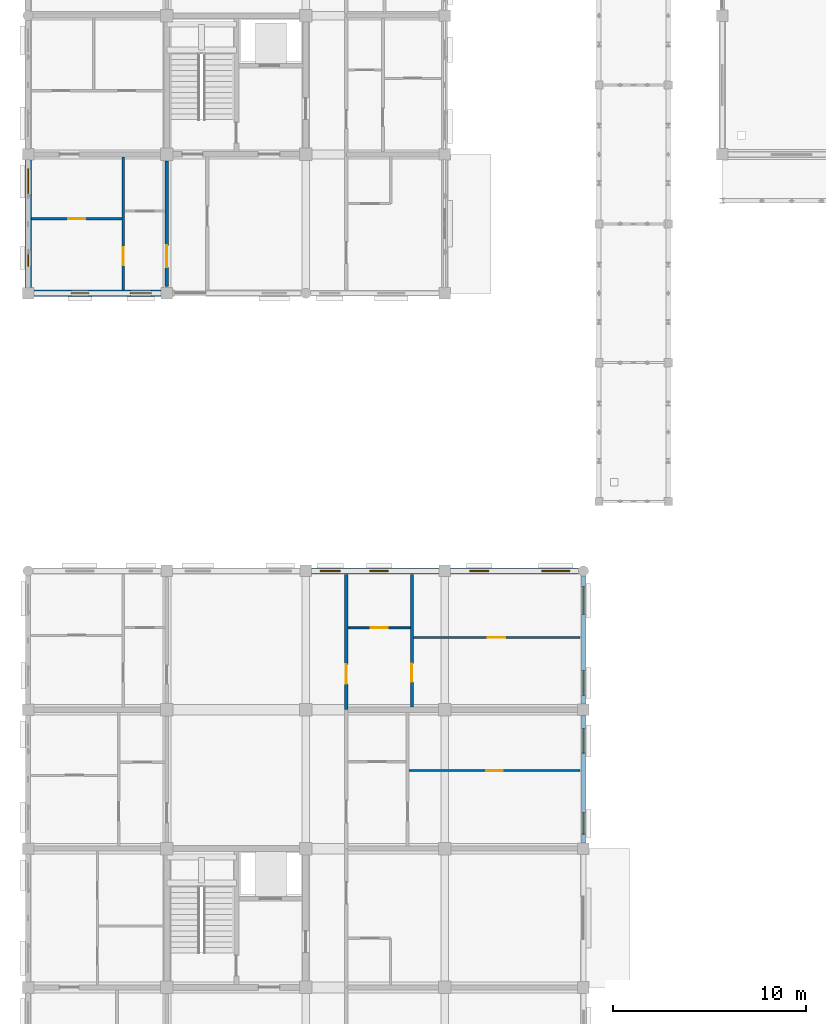
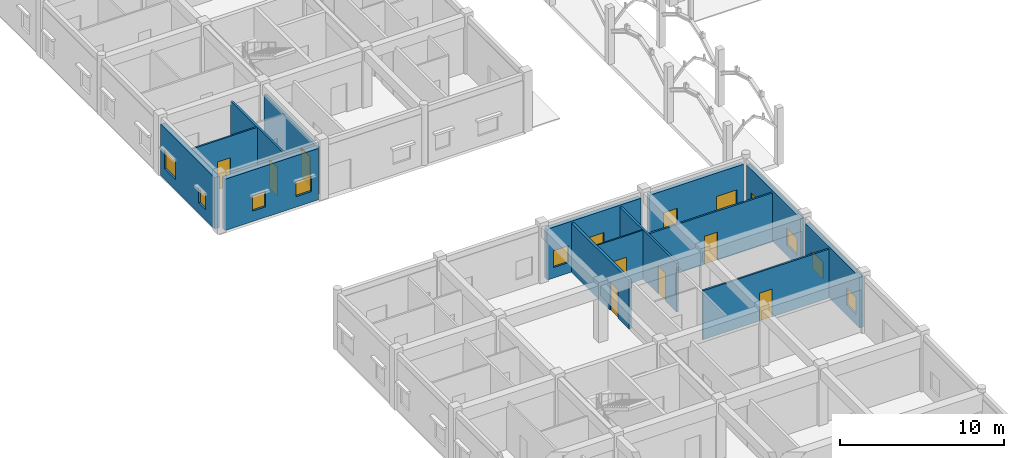
# One storey, part 99 of 138: 14 walls, 12 windows, 8 doors, 20 openings.
"""IFC4 building model written with IfcOpenShell, lengths in metres."""

from ifc_helpers import new_model, si_unit, direction, frame, frame_2d, origin, place, context, subcontext, project, spatial, rectangle, extrude, material, layer, layer_set, type_object, element, fill, save


model = new_model("IFC4")

# Units and contexts
model_context = context("Model", 3, precision=1e-05, world=origin(), true_north=direction((0.0, 1.0)))
body_context = subcontext(model_context, "Body", "Model", "MODEL_VIEW")
ifc_project = project(units=[si_unit("LENGTHUNIT", "METRE"), si_unit("AREAUNIT", "SQUARE_METRE"), si_unit("VOLUMEUNIT", "CUBIC_METRE"), si_unit("PLANEANGLEUNIT", "RADIAN"), si_unit("MASSUNIT", "GRAM", prefix="KILO"), si_unit("THERMODYNAMICTEMPERATUREUNIT", "KELVIN"), si_unit("POWERUNIT", "WATT")], contexts=[model_context])

# Site, building, storey
site_placement = place(None, origin())
site = spatial("IfcSite", under=ifc_project, at=site_placement, CompositionType="ELEMENT")
building_placement = place(site_placement, origin())
building = spatial("IfcBuilding", under=site, at=building_placement, Name="Tavuni Mirador Residences", CompositionType="ELEMENT")
storey_placement = place(building_placement, origin())
storey = spatial("IfcBuildingStorey", under=building, at=storey_placement, Name="L00", CompositionType="ELEMENT", Elevation=0.0)

# Wall, opening, door
ifc_material_1 = material(Name="Precast concrete C40/50", Category="concrete")
ifc_layer_1 = layer(ifc_material_1, 0.18505859375, Name="Precast concrete C40/50", Category="concrete")
ifc_layer_set_1 = layer_set([ifc_layer_1], Name="Precast concrete C40/50")
wall_type_1 = type_object("IfcWallType", Name="WT-CORR185", PredefinedType="PARTITIONING", material=ifc_layer_set_1)
wall_1_placement = place(storey_placement, frame((20.10009765625, 43.219970703125, 0.0), z_axis=(0.0, 0.0, 1.0), x_axis=(0.0, 1.0, 0.0)))
wall_1 = element("IfcWall", 1, at=wall_1_placement, inside=storey, type_object=wall_type_1, Name="CORW-BLK-A-L00-0-05", PredefinedType="PARTITIONING", context=body_context, shape_type="SweptSolid", body=[
    extrude(rectangle(XDim=7.005126953125, YDim=0.18505859375, at=frame_2d((3.50244140625, 0.0))), origin(), (0.0, 0.0, 1.0), 3.655029296875),
])
opening_1_placement = place(wall_1_placement, frame((1.330078125, 0.0, 0.0)))
opening_1 = element("IfcOpeningElement", 2, at=opening_1_placement, cuts=wall_1, Name="Opening D-03", PredefinedType="OPENING", context=body_context, shape_type="SweptSolid", body=[
    extrude(rectangle(XDim=1.0, YDim=2.14990234375, at=frame_2d((0.5, 1.074951171875))), frame((0.0, 0.1025390625, 0.0), z_axis=(0.0, -1.0, 0.0), x_axis=(1.0, 0.0, 0.0)), (0.0, 0.0, 1.0), 0.205078125),
])
ifc_material_2 = material(Name="Solid core iroko timber", Category="wood")
door_type_1 = type_object("IfcDoorType", Name="DT-FD60-1000", OperationType="NOTDEFINED", PredefinedType="DOOR", material=ifc_material_2)
door_1_placement = place(opening_1_placement, origin())
door_1 = element("IfcDoor", 3, at=door_1_placement, inside=storey, type_object=door_type_1, Name="DR-2388", OperationType="SINGLE_SWING_LEFT", OverallHeight=2.14990234375, OverallWidth=1.0, PredefinedType="DOOR", context=body_context, shape_type="SweptSolid", body=[
    extrude(rectangle(XDim=1.0, YDim=2.14990234375, at=frame_2d((0.5, 1.074951171875))), frame((0.0, 0.02490234375, 0.0), z_axis=(0.0, -1.0, 0.0), x_axis=(1.0, 0.0, 0.0)), (0.0, 0.0, 1.0), 0.050048828125),
])
fill(opening_1, door_1)

wall_2_placement = place(storey_placement, frame((10.800048828125, 65.14990234375, 0.0), z_axis=(0.0, 0.0, 1.0), x_axis=(0.0, 1.0, 0.0)))
wall_2 = element("IfcWall", 4, at=wall_2_placement, inside=storey, type_object=wall_type_1, Name="CORW-BLK-B-L00-1-00", PredefinedType="PARTITIONING", context=body_context, shape_type="SweptSolid", body=[
    extrude(rectangle(XDim=6.5, YDim=0.18505859375, at=frame_2d((3.25, 0.0))), origin(), (0.0, 0.0, 1.0), 3.510009765625),
])
opening_2_placement = place(wall_2_placement, frame((1.0, 0.0, 0.0)))
opening_2 = element("IfcOpeningElement", 5, at=opening_2_placement, cuts=wall_2, Name="Opening D-20", PredefinedType="OPENING", context=body_context, shape_type="SweptSolid", body=[
    extrude(rectangle(XDim=1.139892578125, YDim=2.179931640625, at=frame_2d((0.56982421875, 1.08984375))), frame((0.0, 0.1025390625, 0.0), z_axis=(0.0, -1.0, 0.0), x_axis=(1.0, 0.0, 0.0)), (0.0, 0.0, 1.0), 0.205078125),
])
door_type_2 = type_object("IfcDoorType", Name="DT-FD60-1140", OperationType="NOTDEFINED", PredefinedType="DOOR", material=ifc_material_2)
door_2_placement = place(opening_2_placement, origin())
door_2 = element("IfcDoor", 6, at=door_2_placement, inside=storey, type_object=door_type_2, Name="DR-2534", OperationType="SINGLE_SWING_LEFT", OverallHeight=2.179931640625, OverallWidth=1.139892578125, PredefinedType="DOOR", context=body_context, shape_type="SweptSolid", body=[
    extrude(rectangle(XDim=1.139892578125, YDim=2.179931640625, at=frame_2d((0.56982421875, 1.08984375))), frame((0.0, 0.02490234375, 0.0), z_axis=(0.0, -1.0, 0.0), x_axis=(1.0, 0.0, 0.0)), (0.0, 0.0, 1.0), 0.050048828125),
])
fill(opening_2, door_2)

# Wall, openings, windows
ifc_layer_2 = layer(ifc_material_1, 0.330078125, Name="Precast concrete C40/50", Category="concrete")
ifc_layer_set_2 = layer_set([ifc_layer_2], Name="Precast concrete C40/50")
wall_type_2 = type_object("IfcWallType", Name="WT-EXT-COR330", PredefinedType="SOLIDWALL", material=ifc_layer_set_2)
wall_3_placement = place(storey_placement, frame((3.89990234375, 64.800048828125, 0.0), z_axis=(0.0, 0.0, 1.0), x_axis=(1.0, 0.0, 0.0)))
wall_3 = element("IfcWall", 7, at=wall_3_placement, inside=storey, type_object=wall_type_2, Name="EW-BLK-B-L00-S00", PredefinedType="SOLIDWALL", context=body_context, shape_type="SweptSolid", body=[
    extrude(rectangle(XDim=6.60009765625, YDim=0.330078125, at=frame_2d((3.300048828125, 0.0))), origin(), (0.0, 0.0, 1.0), 3.830078125),
])
opening_3_placement = place(wall_3_placement, frame((1.929931640625, 0.0, 0.780029296875)))
opening_3 = element("IfcOpeningElement", 8, at=opening_3_placement, cuts=wall_3, Name="Opening WN-02", PredefinedType="OPENING", context=body_context, shape_type="SweptSolid", body=[
    extrude(rectangle(XDim=0.919921875, YDim=1.14990234375, at=frame_2d((0.4599609375, 0.574951171875))), frame((0.0, 0.175048828125, 0.0), z_axis=(0.0, -1.0, 0.0), x_axis=(1.0, 0.0, 0.0)), (0.0, 0.0, 1.0), 0.35009765625),
])
opening_4_placement = place(wall_3_placement, frame((5.010009765625, 0.0, 0.780029296875)))
opening_4 = element("IfcOpeningElement", 9, at=opening_4_placement, cuts=wall_3, Name="Opening WN-04", PredefinedType="OPENING", context=body_context, shape_type="SweptSolid", body=[
    extrude(rectangle(XDim=1.080078125, YDim=1.14990234375, at=frame_2d((0.5400390625, 0.574951171875))), frame((0.0, 0.175048828125, 0.0), z_axis=(0.0, -1.0, 0.0), x_axis=(1.0, 0.0, 0.0)), (0.0, 0.0, 1.0), 0.35009765625),
])
ifc_material_3 = material(Name="Laminated solar-control glass", Category="glass")
window_type_1 = type_object("IfcWindowType", Name="WNT-02", PartitioningType="SINGLE_PANEL", PredefinedType="WINDOW", material=ifc_material_3)
window_1_placement = place(opening_3_placement, origin())
window_1 = element("IfcWindow", 10, at=window_1_placement, inside=storey, type_object=window_type_1, Name="WIN-0541", OverallHeight=1.14990234375, OverallWidth=0.919921875, PartitioningType="SINGLE_PANEL", PredefinedType="WINDOW", context=body_context, shape_type="SweptSolid", body=[
    extrude(rectangle(XDim=0.919921875, YDim=1.14990234375, at=frame_2d((0.4599609375, 0.574951171875))), frame((0.0, 0.030029296875, 0.0), z_axis=(0.0, -1.0, 0.0), x_axis=(1.0, 0.0, 0.0)), (0.0, 0.0, 1.0), 0.06005859375),
])
fill(opening_3, window_1)
window_type_2 = type_object("IfcWindowType", Name="WNT-04", PartitioningType="SINGLE_PANEL", PredefinedType="WINDOW", material=ifc_material_3)
window_2_placement = place(opening_4_placement, origin())
window_2 = element("IfcWindow", 11, at=window_2_placement, inside=storey, type_object=window_type_2, Name="WIN-0542", OverallHeight=1.14990234375, OverallWidth=1.080078125, PartitioningType="SINGLE_PANEL", PredefinedType="WINDOW", context=body_context, shape_type="SweptSolid", body=[
    extrude(rectangle(XDim=1.080078125, YDim=1.14990234375, at=frame_2d((0.5400390625, 0.574951171875))), frame((0.0, 0.030029296875, 0.0), z_axis=(0.0, -1.0, 0.0), x_axis=(1.0, 0.0, 0.0)), (0.0, 0.0, 1.0), 0.06005859375),
])
fill(opening_4, window_2)

wall_4_placement = place(storey_placement, frame((3.60009765625, 71.699951171875, 0.0), z_axis=(0.0, 0.0, 1.0), x_axis=(0.0, -1.0, 0.0)))
wall_4 = element("IfcWall", 12, at=wall_4_placement, inside=storey, type_object=wall_type_2, Name="EW-BLK-B-L00-W00", PredefinedType="SOLIDWALL", context=body_context, shape_type="SweptSolid", body=[
    extrude(rectangle(XDim=6.599853515625, YDim=0.330078125, at=frame_2d((3.2998046875, 0.0))), origin(), (0.0, 0.0, 1.0), 3.830078125),
])
opening_5_placement = place(wall_4_placement, frame((0.449951171875, 0.0, 0.780029296875)))
opening_5 = element("IfcOpeningElement", 13, at=opening_5_placement, cuts=wall_4, Name="Opening WN-29", PredefinedType="OPENING", context=body_context, shape_type="SweptSolid", body=[
    extrude(rectangle(XDim=1.35009765625, YDim=1.43994140625, at=frame_2d((0.675048828125, 0.719970703125))), frame((0.0, 0.175048828125, 0.0), z_axis=(0.0, -1.0, 0.0), x_axis=(1.0, 0.0, 0.0)), (0.0, 0.0, 1.0), 0.35009765625),
])
opening_6_placement = place(wall_4_placement, frame((4.64990234375, 0.0, 0.780029296875)))
opening_6 = element("IfcOpeningElement", 14, at=opening_6_placement, cuts=wall_4, Name="Opening WN-01", PredefinedType="OPENING", context=body_context, shape_type="SweptSolid", body=[
    extrude(rectangle(XDim=0.85009765625, YDim=1.14990234375, at=frame_2d((0.425048828125, 0.574951171875))), frame((0.0, 0.175048828125, 0.0), z_axis=(0.0, -1.0, 0.0), x_axis=(1.0, 0.0, 0.0)), (0.0, 0.0, 1.0), 0.35009765625),
])
window_type_3 = type_object("IfcWindowType", Name="WNT-01", PartitioningType="SINGLE_PANEL", PredefinedType="WINDOW", material=ifc_material_3)
window_3_placement = place(opening_6_placement, origin())
window_3 = element("IfcWindow", 15, at=window_3_placement, inside=storey, type_object=window_type_3, Name="WIN-0569", OverallHeight=1.14990234375, OverallWidth=0.85009765625, PartitioningType="SINGLE_PANEL", PredefinedType="WINDOW", context=body_context, shape_type="SweptSolid", body=[
    extrude(rectangle(XDim=0.85009765625, YDim=1.14990234375, at=frame_2d((0.425048828125, 0.574951171875))), frame((0.0, 0.030029296875, 0.0), z_axis=(0.0, -1.0, 0.0), x_axis=(1.0, 0.0, 0.0)), (0.0, 0.0, 1.0), 0.06005859375),
])
fill(opening_6, window_3)
window_type_4 = type_object("IfcWindowType", Name="WNT-29", PartitioningType="SINGLE_PANEL", PredefinedType="WINDOW", material=ifc_material_3)
window_4_placement = place(opening_5_placement, origin())
window_4 = element("IfcWindow", 16, at=window_4_placement, inside=storey, type_object=window_type_4, Name="WIN-0568", OverallHeight=1.43994140625, OverallWidth=1.35009765625, PartitioningType="SINGLE_PANEL", PredefinedType="WINDOW", context=body_context, shape_type="SweptSolid", body=[
    extrude(rectangle(XDim=1.35009765625, YDim=1.43994140625, at=frame_2d((0.675048828125, 0.719970703125))), frame((0.0, 0.030029296875, 0.0), z_axis=(0.0, -1.0, 0.0), x_axis=(1.0, 0.0, 0.0)), (0.0, 0.0, 1.0), 0.06005859375),
])
fill(opening_5, window_4)

ifc_material_4 = material(Name="Sgraffito lime-rendered precast concrete C40/50", Category="concrete")
ifc_layer_3 = layer(ifc_material_4, 0.2548828125, Name="Sgraffito lime-rendered precast concrete C40/50", Category="concrete")
ifc_layer_set_3 = layer_set([ifc_layer_3], Name="Sgraffito lime-rendered precast concrete C40/50")
wall_type_3 = type_object("IfcWallType", Name="WT-EXT-PC255", PredefinedType="SOLIDWALL", material=ifc_layer_set_3)
wall_5_placement = place(storey_placement, frame((32.39990234375, 43.5, 0.0), z_axis=(0.0, 0.0, 1.0), x_axis=(0.0, 1.0, 0.0)))
wall_5 = element("IfcWall", 17, at=wall_5_placement, inside=storey, type_object=wall_type_3, Name="EW-BLK-A-L00-E05", PredefinedType="SOLIDWALL", context=body_context, shape_type="SweptSolid", body=[
    extrude(rectangle(XDim=6.639892578125, YDim=0.2548828125, at=frame_2d((3.31982421875, 0.0))), origin(), (0.0, 0.0, 1.0), 3.7900390625),
])
opening_7_placement = place(wall_5_placement, frame((0.449951171875, 0.0, 0.780029296875)))
opening_7 = element("IfcOpeningElement", 18, at=opening_7_placement, cuts=wall_5, Name="Opening WN-14", PredefinedType="OPENING", context=body_context, shape_type="SweptSolid", body=[
    extrude(rectangle(XDim=1.280029296875, YDim=1.260009765625, at=frame_2d((0.64013671875, 0.6298828125))), frame((0.0, 0.137451171875, 0.0), z_axis=(0.0, -1.0, 0.0), x_axis=(1.0, 0.0, 0.0)), (0.0, 0.0, 1.0), 0.27490234375),
])
opening_8_placement = place(wall_5_placement, frame((4.64990234375, 0.0, 0.780029296875)))
opening_8 = element("IfcOpeningElement", 19, at=opening_8_placement, cuts=wall_5, Name="Opening WN-16", PredefinedType="OPENING", context=body_context, shape_type="SweptSolid", body=[
    extrude(rectangle(XDim=1.43994140625, YDim=1.260009765625, at=frame_2d((0.719970703125, 0.6298828125))), frame((0.0, 0.137451171875, 0.0), z_axis=(0.0, -1.0, 0.0), x_axis=(1.0, 0.0, 0.0)), (0.0, 0.0, 1.0), 0.27490234375),
])
window_type_5 = type_object("IfcWindowType", Name="WNT-14", PartitioningType="SINGLE_PANEL", PredefinedType="WINDOW", material=ifc_material_3)
window_5_placement = place(opening_7_placement, origin())
window_5 = element("IfcWindow", 20, at=window_5_placement, inside=storey, type_object=window_type_5, Name="WIN-0013", OverallHeight=1.260009765625, OverallWidth=1.280029296875, PartitioningType="SINGLE_PANEL", PredefinedType="WINDOW", context=body_context, shape_type="SweptSolid", body=[
    extrude(rectangle(XDim=1.280029296875, YDim=1.260009765625, at=frame_2d((0.64013671875, 0.6298828125))), frame((0.0, 0.030029296875, 0.0), z_axis=(0.0, -1.0, 0.0), x_axis=(1.0, 0.0, 0.0)), (0.0, 0.0, 1.0), 0.06005859375),
])
fill(opening_7, window_5)
window_type_6 = type_object("IfcWindowType", Name="WNT-16", PartitioningType="SINGLE_PANEL", PredefinedType="WINDOW", material=ifc_material_3)
window_6_placement = place(opening_8_placement, origin())
window_6 = element("IfcWindow", 21, at=window_6_placement, inside=storey, type_object=window_type_6, Name="WIN-0014", OverallHeight=1.260009765625, OverallWidth=1.43994140625, PartitioningType="SINGLE_PANEL", PredefinedType="WINDOW", context=body_context, shape_type="SweptSolid", body=[
    extrude(rectangle(XDim=1.43994140625, YDim=1.260009765625, at=frame_2d((0.719970703125, 0.6298828125))), frame((0.0, 0.030029296875, 0.0), z_axis=(0.0, -1.0, 0.0), x_axis=(1.0, 0.0, 0.0)), (0.0, 0.0, 1.0), 0.06005859375),
])
fill(opening_8, window_6)

ifc_layer_4 = layer(ifc_material_4, 0.27490234375, Name="Sgraffito lime-rendered precast concrete C40/50", Category="concrete")
ifc_layer_set_4 = layer_set([ifc_layer_4], Name="Sgraffito lime-rendered precast concrete C40/50")
wall_type_4 = type_object("IfcWallType", Name="WT-EXT-PC275", PredefinedType="SOLIDWALL", material=ifc_layer_set_4)
wall_6_placement = place(storey_placement, frame((32.39990234375, 36.300048828125, 0.0), z_axis=(0.0, 0.0, 1.0), x_axis=(0.0, 1.0, 0.0)))
wall_6 = element("IfcWall", 22, at=wall_6_placement, inside=storey, type_object=wall_type_4, Name="EW-BLK-A-L00-E04", PredefinedType="SOLIDWALL", context=body_context, shape_type="SweptSolid", body=[
    extrude(rectangle(XDim=6.599853515625, YDim=0.27490234375, at=frame_2d((3.2998046875, 0.0))), origin(), (0.0, 0.0, 1.0), 3.7900390625),
])
opening_9_placement = place(wall_6_placement, frame((0.449951171875, 0.0, 0.780029296875)))
opening_9 = element("IfcOpeningElement", 23, at=opening_9_placement, cuts=wall_6, Name="Opening WN-12", PredefinedType="OPENING", context=body_context, shape_type="SweptSolid", body=[
    extrude(rectangle(XDim=1.1201171875, YDim=1.260009765625, at=frame_2d((0.56005859375, 0.6298828125))), frame((0.0, 0.1474609375, 0.0), z_axis=(0.0, -1.0, 0.0), x_axis=(1.0, 0.0, 0.0)), (0.0, 0.0, 1.0), 0.294921875),
])
opening_10_placement = place(wall_6_placement, frame((4.64990234375, 0.0, 0.780029296875)))
opening_10 = element("IfcOpeningElement", 24, at=opening_10_placement, cuts=wall_6, Name="Opening WN-14", PredefinedType="OPENING", context=body_context, shape_type="SweptSolid", body=[
    extrude(rectangle(XDim=1.280029296875, YDim=1.260009765625, at=frame_2d((0.64013671875, 0.6298828125))), frame((0.0, 0.1474609375, 0.0), z_axis=(0.0, -1.0, 0.0), x_axis=(1.0, 0.0, 0.0)), (0.0, 0.0, 1.0), 0.294921875),
])
window_type_7 = type_object("IfcWindowType", Name="WNT-12", PartitioningType="SINGLE_PANEL", PredefinedType="WINDOW", material=ifc_material_3)
window_7_placement = place(opening_9_placement, origin())
window_7 = element("IfcWindow", 25, at=window_7_placement, inside=storey, type_object=window_type_7, Name="WIN-0011", OverallHeight=1.260009765625, OverallWidth=1.1201171875, PartitioningType="SINGLE_PANEL", PredefinedType="WINDOW", context=body_context, shape_type="SweptSolid", body=[
    extrude(rectangle(XDim=1.1201171875, YDim=1.260009765625, at=frame_2d((0.56005859375, 0.6298828125))), frame((0.0, 0.030029296875, 0.0), z_axis=(0.0, -1.0, 0.0), x_axis=(1.0, 0.0, 0.0)), (0.0, 0.0, 1.0), 0.06005859375),
])
fill(opening_9, window_7)
window_8_placement = place(opening_10_placement, origin())
window_8 = element("IfcWindow", 26, at=window_8_placement, inside=storey, type_object=window_type_5, Name="WIN-0012", OverallHeight=1.260009765625, OverallWidth=1.280029296875, PartitioningType="SINGLE_PANEL", PredefinedType="WINDOW", context=body_context, shape_type="SweptSolid", body=[
    extrude(rectangle(XDim=1.280029296875, YDim=1.260009765625, at=frame_2d((0.64013671875, 0.6298828125))), frame((0.0, 0.030029296875, 0.0), z_axis=(0.0, -1.0, 0.0), x_axis=(1.0, 0.0, 0.0)), (0.0, 0.0, 1.0), 0.06005859375),
])
fill(opening_10, window_8)

ifc_layer_5 = layer(ifc_material_4, 0.2900390625, Name="Sgraffito lime-rendered precast concrete C40/50", Category="concrete")
ifc_layer_set_5 = layer_set([ifc_layer_5], Name="Sgraffito lime-rendered precast concrete C40/50")
wall_type_5 = type_object("IfcWallType", Name="WT-EXT-PC290", PredefinedType="SOLIDWALL", material=ifc_layer_set_5)
wall_7_placement = place(storey_placement, frame((32.139892578125, 50.39990234375, 0.0), z_axis=(0.0, 0.0, 1.0), x_axis=(-1.0, 0.0, 0.0)))
wall_7 = element("IfcWall", 27, at=wall_7_placement, inside=storey, type_object=wall_type_5, Name="EW-BLK-A-L00-N03", PredefinedType="SOLIDWALL", context=body_context, shape_type="SweptSolid", body=[
    extrude(rectangle(XDim=6.639892578125, YDim=0.2900390625, at=frame_2d((3.31982421875, 0.0))), origin(), (0.0, 0.0, 1.0), 3.7900390625),
])
opening_11_placement = place(wall_7_placement, frame((0.449951171875, 0.0, 0.780029296875)))
opening_11 = element("IfcOpeningElement", 28, at=opening_11_placement, cuts=wall_7, Name="Opening WN-16", PredefinedType="OPENING", context=body_context, shape_type="SweptSolid", body=[
    extrude(rectangle(XDim=1.43994140625, YDim=1.260009765625, at=frame_2d((0.719970703125, 0.6298828125))), frame((0.0, 0.155029296875, 0.0), z_axis=(0.0, -1.0, 0.0), x_axis=(1.0, 0.0, 0.0)), (0.0, 0.0, 1.0), 0.31005859375),
])
opening_12_placement = place(wall_7_placement, frame((4.64990234375, 0.0, 0.780029296875)))
opening_12 = element("IfcOpeningElement", 29, at=opening_12_placement, cuts=wall_7, Name="Opening WN-18", PredefinedType="OPENING", context=body_context, shape_type="SweptSolid", body=[
    extrude(rectangle(XDim=0.97998046875, YDim=1.360107421875, at=frame_2d((0.489990234375, 0.68017578125))), frame((0.0, 0.155029296875, 0.0), z_axis=(0.0, -1.0, 0.0), x_axis=(1.0, 0.0, 0.0)), (0.0, 0.0, 1.0), 0.31005859375),
])
window_9_placement = place(opening_11_placement, origin())
window_9 = element("IfcWindow", 30, at=window_9_placement, inside=storey, type_object=window_type_6, Name="WIN-0015", OverallHeight=1.260009765625, OverallWidth=1.43994140625, PartitioningType="SINGLE_PANEL", PredefinedType="WINDOW", context=body_context, shape_type="SweptSolid", body=[
    extrude(rectangle(XDim=1.43994140625, YDim=1.260009765625, at=frame_2d((0.719970703125, 0.6298828125))), frame((0.0, 0.030029296875, 0.0), z_axis=(0.0, -1.0, 0.0), x_axis=(1.0, 0.0, 0.0)), (0.0, 0.0, 1.0), 0.06005859375),
])
fill(opening_11, window_9)
window_type_8 = type_object("IfcWindowType", Name="WNT-18", PartitioningType="SINGLE_PANEL", PredefinedType="WINDOW", material=ifc_material_3)
window_10_placement = place(opening_12_placement, origin())
window_10 = element("IfcWindow", 31, at=window_10_placement, inside=storey, type_object=window_type_8, Name="WIN-0016", OverallHeight=1.360107421875, OverallWidth=0.97998046875, PartitioningType="SINGLE_PANEL", PredefinedType="WINDOW", context=body_context, shape_type="SweptSolid", body=[
    extrude(rectangle(XDim=0.97998046875, YDim=1.360107421875, at=frame_2d((0.489990234375, 0.68017578125))), frame((0.0, 0.030029296875, 0.0), z_axis=(0.0, -1.0, 0.0), x_axis=(1.0, 0.0, 0.0)), (0.0, 0.0, 1.0), 0.06005859375),
])
fill(opening_12, window_10)

ifc_layer_6 = layer(ifc_material_4, 0.304931640625, Name="Sgraffito lime-rendered precast concrete C40/50", Category="concrete")
ifc_layer_set_6 = layer_set([ifc_layer_6], Name="Sgraffito lime-rendered precast concrete C40/50")
wall_type_6 = type_object("IfcWallType", Name="WT-EXT-PC305", PredefinedType="SOLIDWALL", material=ifc_layer_set_6)
wall_8_placement = place(storey_placement, frame((24.89990234375, 50.39990234375, 0.0), z_axis=(0.0, 0.0, 1.0), x_axis=(-1.0, 0.0, 0.0)))
wall_8 = element("IfcWall", 32, at=wall_8_placement, inside=storey, type_object=wall_type_6, Name="EW-BLK-A-L00-N02", PredefinedType="SOLIDWALL", context=body_context, shape_type="SweptSolid", body=[
    extrude(rectangle(XDim=6.599853515625, YDim=0.304931640625, at=frame_2d((3.2998046875, 0.0))), origin(), (0.0, 0.0, 1.0), 3.7900390625),
])
opening_13_placement = place(wall_8_placement, frame((2.610107421875, 0.0, 0.780029296875)))
opening_13 = element("IfcOpeningElement", 33, at=opening_13_placement, cuts=wall_8, Name="Opening WN-18", PredefinedType="OPENING", context=body_context, shape_type="SweptSolid", body=[
    extrude(rectangle(XDim=0.97998046875, YDim=1.360107421875, at=frame_2d((0.489990234375, 0.68017578125))), frame((0.0, 0.16259765625, 0.0), z_axis=(0.0, -1.0, 0.0), x_axis=(1.0, 0.0, 0.0)), (0.0, 0.0, 1.0), 0.324951171875),
])
opening_14_placement = place(wall_8_placement, frame((5.110107421875, 0.0, 0.780029296875)))
opening_14 = element("IfcOpeningElement", 34, at=opening_14_placement, cuts=wall_8, Name="Opening WN-11", PredefinedType="OPENING", context=body_context, shape_type="SweptSolid", body=[
    extrude(rectangle(XDim=1.0400390625, YDim=1.260009765625, at=frame_2d((0.52001953125, 0.6298828125))), frame((0.0, 0.16259765625, 0.0), z_axis=(0.0, -1.0, 0.0), x_axis=(1.0, 0.0, 0.0)), (0.0, 0.0, 1.0), 0.324951171875),
])
window_type_9 = type_object("IfcWindowType", Name="WNT-11", PartitioningType="SINGLE_PANEL", PredefinedType="WINDOW", material=ifc_material_3)
window_11_placement = place(opening_14_placement, origin())
window_11 = element("IfcWindow", 35, at=window_11_placement, inside=storey, type_object=window_type_9, Name="WIN-0018", OverallHeight=1.260009765625, OverallWidth=1.0400390625, PartitioningType="SINGLE_PANEL", PredefinedType="WINDOW", context=body_context, shape_type="SweptSolid", body=[
    extrude(rectangle(XDim=1.0400390625, YDim=1.260009765625, at=frame_2d((0.52001953125, 0.6298828125))), frame((0.0, 0.030029296875, 0.0), z_axis=(0.0, -1.0, 0.0), x_axis=(1.0, 0.0, 0.0)), (0.0, 0.0, 1.0), 0.06005859375),
])
fill(opening_14, window_11)
window_12_placement = place(opening_13_placement, origin())
window_12 = element("IfcWindow", 36, at=window_12_placement, inside=storey, type_object=window_type_8, Name="WIN-0017", OverallHeight=1.360107421875, OverallWidth=0.97998046875, PartitioningType="SINGLE_PANEL", PredefinedType="WINDOW", context=body_context, shape_type="SweptSolid", body=[
    extrude(rectangle(XDim=0.97998046875, YDim=1.360107421875, at=frame_2d((0.489990234375, 0.68017578125))), frame((0.0, 0.030029296875, 0.0), z_axis=(0.0, -1.0, 0.0), x_axis=(1.0, 0.0, 0.0)), (0.0, 0.0, 1.0), 0.06005859375),
])
fill(opening_13, window_12)

# Wall, opening, door
ifc_material_5 = material(Name="Acoustic gypsum and concrete block partition", Category="concrete")
ifc_layer_7 = layer(ifc_material_5, 0.094970703125, Name="Acoustic gypsum and concrete block partition", Category="concrete")
ifc_layer_set_7 = layer_set([ifc_layer_7], Name="Acoustic gypsum and concrete block partition")
wall_type_7 = type_object("IfcWallType", Name="WT-PART095", PredefinedType="PARTITIONING", material=ifc_layer_set_7)
wall_9_placement = place(storey_placement, frame((20.18994140625, 47.449951171875, 0.0), z_axis=(0.0, 0.0, 1.0), x_axis=(1.0, 0.0, 0.0)))
wall_9 = element("IfcWall", 37, at=wall_9_placement, inside=storey, type_object=wall_type_7, Name="PW-BLK-A-L00-E05-IN1", PredefinedType="PARTITIONING", context=body_context, shape_type="SweptSolid", body=[
    extrude(rectangle(XDim=3.239990234375, YDim=0.094970703125, at=frame_2d((1.6201171875, 0.0))), origin(), (0.0, 0.0, 1.0), 3.655029296875),
])
opening_15_placement = place(wall_9_placement, frame((1.169921875, 0.0, 0.0)))
opening_15 = element("IfcOpeningElement", 38, at=opening_15_placement, cuts=wall_9, Name="Opening D-09", PredefinedType="OPENING", context=body_context, shape_type="SweptSolid", body=[
    extrude(rectangle(XDim=0.89990234375, YDim=2.050048828125, at=frame_2d((0.449951171875, 1.02490234375))), frame((0.0, 0.0576171875, 0.0), z_axis=(0.0, -1.0, 0.0), x_axis=(1.0, 0.0, 0.0)), (0.0, 0.0, 1.0), 0.114990234375),
])
door_type_3 = type_object("IfcDoorType", Name="DT-WC900", OperationType="NOTDEFINED", PredefinedType="DOOR", material=ifc_material_2)
door_3_placement = place(opening_15_placement, origin())
door_3 = element("IfcDoor", 39, at=door_3_placement, inside=storey, type_object=door_type_3, Name="DR-2953", OperationType="SINGLE_SWING_RIGHT", OverallHeight=2.050048828125, OverallWidth=0.89990234375, PredefinedType="DOOR", context=body_context, shape_type="SweptSolid", body=[
    extrude(rectangle(XDim=0.89990234375, YDim=2.050048828125, at=frame_2d((0.449951171875, 1.02490234375))), frame((0.0, 0.02490234375, 0.0), z_axis=(0.0, -1.0, 0.0), x_axis=(1.0, 0.0, 0.0)), (0.0, 0.0, 1.0), 0.050048828125),
])
fill(opening_15, door_3)

ifc_layer_8 = layer(ifc_material_5, 0.114990234375, Name="Acoustic gypsum and concrete block partition", Category="concrete")
ifc_layer_set_8 = layer_set([ifc_layer_8], Name="Acoustic gypsum and concrete block partition")
wall_type_8 = type_object("IfcWallType", Name="WT-PART115", PredefinedType="PARTITIONING", material=ifc_layer_set_8)
wall_10_placement = place(storey_placement, frame((3.77490234375, 68.659912109375, 0.0), z_axis=(0.0, 0.0, 1.0), x_axis=(1.0, 0.0, 0.0)))
wall_10 = element("IfcWall", 40, at=wall_10_placement, inside=storey, type_object=wall_type_8, Name="PW-BLK-B-L00-W00-OUT", PredefinedType="PARTITIONING", context=body_context, shape_type="SweptSolid", body=[
    extrude(rectangle(XDim=4.695068359375, YDim=0.114990234375, at=frame_2d((2.34765625, 0.0))), origin(), (0.0, 0.0, 1.0), 3.695068359375),
])
opening_16_placement = place(wall_10_placement, frame((1.8974609375, 0.0, 0.0)))
opening_16 = element("IfcOpeningElement", 41, at=opening_16_placement, cuts=wall_10, Name="Opening D-07", PredefinedType="OPENING", context=body_context, shape_type="SweptSolid", body=[
    extrude(rectangle(XDim=0.89990234375, YDim=2.10009765625, at=frame_2d((0.449951171875, 1.050048828125))), frame((0.0, 0.0673828125, 0.0), z_axis=(0.0, -1.0, 0.0), x_axis=(1.0, 0.0, 0.0)), (0.0, 0.0, 1.0), 0.135009765625),
])
door_type_4 = type_object("IfcDoorType", Name="DT-BED900", OperationType="NOTDEFINED", PredefinedType="DOOR", material=ifc_material_2)
door_4_placement = place(opening_16_placement, origin())
door_4 = element("IfcDoor", 42, at=door_4_placement, inside=storey, type_object=door_type_4, Name="DR-3424", OperationType="SINGLE_SWING_LEFT", OverallHeight=2.10009765625, OverallWidth=0.89990234375, PredefinedType="DOOR", context=body_context, shape_type="SweptSolid", body=[
    extrude(rectangle(XDim=0.89990234375, YDim=2.10009765625, at=frame_2d((0.449951171875, 1.050048828125))), frame((0.0, 0.02490234375, 0.0), z_axis=(0.0, -1.0, 0.0), x_axis=(1.0, 0.0, 0.0)), (0.0, 0.0, 1.0), 0.050048828125),
])
fill(opening_16, door_4)

ifc_layer_9 = layer(ifc_material_5, 0.125, Name="Acoustic gypsum and concrete block partition", Category="concrete")
ifc_layer_set_9 = layer_set([ifc_layer_9], Name="Acoustic gypsum and concrete block partition")
wall_type_9 = type_object("IfcWallType", Name="WT-PART125", PredefinedType="PARTITIONING", material=ifc_layer_set_9)
wall_11_placement = place(storey_placement, frame((23.35009765625, 40.050048828125, 0.0), z_axis=(0.0, 0.0, 1.0), x_axis=(1.0, 0.0, 0.0)))
wall_11 = element("IfcWall", 43, at=wall_11_placement, inside=storey, type_object=wall_type_9, Name="PW-BLK-A-L00-E04-OUT", PredefinedType="PARTITIONING", context=body_context, shape_type="SweptSolid", body=[
    extrude(rectangle(XDim=8.875, YDim=0.125, at=frame_2d((4.4375, 0.0))), origin(), (0.0, 0.0, 1.0), 3.655029296875),
])
opening_17_placement = place(wall_11_placement, frame((3.99755859375, 0.0, 0.0)))
opening_17 = element("IfcOpeningElement", 44, at=opening_17_placement, cuts=wall_11, Name="Opening D-08", PredefinedType="OPENING", context=body_context, shape_type="SweptSolid", body=[
    extrude(rectangle(XDim=0.8798828125, YDim=2.080078125, at=frame_2d((0.43994140625, 1.0400390625))), frame((0.0, 0.072509765625, 0.0), z_axis=(0.0, -1.0, 0.0), x_axis=(1.0, 0.0, 0.0)), (0.0, 0.0, 1.0), 0.14501953125),
])
door_type_5 = type_object("IfcDoorType", Name="DT-BED880", OperationType="NOTDEFINED", PredefinedType="DOOR", material=ifc_material_2)
door_5_placement = place(opening_17_placement, origin())
door_5 = element("IfcDoor", 45, at=door_5_placement, inside=storey, type_object=door_type_5, Name="DR-2946", OperationType="SINGLE_SWING_RIGHT", OverallHeight=2.080078125, OverallWidth=0.8798828125, PredefinedType="DOOR", context=body_context, shape_type="SweptSolid", body=[
    extrude(rectangle(XDim=0.8798828125, YDim=2.080078125, at=frame_2d((0.43994140625, 1.0400390625))), frame((0.0, 0.02490234375, 0.0), z_axis=(0.0, -1.0, 0.0), x_axis=(1.0, 0.0, 0.0)), (0.0, 0.0, 1.0), 0.050048828125),
])
fill(opening_17, door_5)

wall_12_placement = place(storey_placement, frame((23.570068359375, 46.949951171875, 0.0), z_axis=(0.0, 0.0, 1.0), x_axis=(1.0, 0.0, 0.0)))
wall_12 = element("IfcWall", 46, at=wall_12_placement, inside=storey, type_object=wall_type_9, Name="PW-BLK-A-L00-E05-OUT", PredefinedType="PARTITIONING", context=body_context, shape_type="SweptSolid", body=[
    extrude(rectangle(XDim=8.655029296875, YDim=0.125, at=frame_2d((4.32763671875, 0.0))), origin(), (0.0, 0.0, 1.0), 3.655029296875),
])
opening_18_placement = place(wall_12_placement, frame((3.87744140625, 0.0, 0.0)))
opening_18 = element("IfcOpeningElement", 47, at=opening_18_placement, cuts=wall_12, Name="Opening D-07", PredefinedType="OPENING", context=body_context, shape_type="SweptSolid", body=[
    extrude(rectangle(XDim=0.89990234375, YDim=2.10009765625, at=frame_2d((0.449951171875, 1.050048828125))), frame((0.0, 0.072509765625, 0.0), z_axis=(0.0, -1.0, 0.0), x_axis=(1.0, 0.0, 0.0)), (0.0, 0.0, 1.0), 0.14501953125),
])
door_6_placement = place(opening_18_placement, origin())
door_6 = element("IfcDoor", 48, at=door_6_placement, inside=storey, type_object=door_type_4, Name="DR-2952", OperationType="SINGLE_SWING_LEFT", OverallHeight=2.10009765625, OverallWidth=0.89990234375, PredefinedType="DOOR", context=body_context, shape_type="SweptSolid", body=[
    extrude(rectangle(XDim=0.89990234375, YDim=2.10009765625, at=frame_2d((0.449951171875, 1.050048828125))), frame((0.0, 0.02490234375, 0.0), z_axis=(0.0, -1.0, 0.0), x_axis=(1.0, 0.0, 0.0)), (0.0, 0.0, 1.0), 0.050048828125),
])
fill(opening_18, door_6)

ifc_layer_10 = layer(ifc_material_5, 0.139892578125, Name="Acoustic gypsum and concrete block partition", Category="concrete")
ifc_layer_set_10 = layer_set([ifc_layer_10], Name="Acoustic gypsum and concrete block partition")
wall_type_10 = type_object("IfcWallType", Name="WT-PART140", PredefinedType="PARTITIONING", material=ifc_layer_set_10)
wall_13_placement = place(storey_placement, frame((8.5400390625, 64.97509765625, 0.0), z_axis=(0.0, 0.0, 1.0), x_axis=(0.0, 1.0, 0.0)))
wall_13 = element("IfcWall", 49, at=wall_13_placement, inside=storey, type_object=wall_type_10, Name="PW-BLK-B-L00-W00-MID", PredefinedType="PARTITIONING", context=body_context, shape_type="SweptSolid", body=[
    extrude(rectangle(XDim=6.885009765625, YDim=0.139892578125, at=frame_2d((3.4423828125, 0.0))), origin(), (0.0, 0.0, 1.0), 3.695068359375),
])
opening_19_placement = place(wall_13_placement, frame((1.27490234375, 0.0, 0.0)))
opening_19 = element("IfcOpeningElement", 50, at=opening_19_placement, cuts=wall_13, Name="Opening D-05", PredefinedType="OPENING", context=body_context, shape_type="SweptSolid", body=[
    extrude(rectangle(XDim=0.949951171875, YDim=2.10009765625, at=frame_2d((0.47509765625, 1.050048828125))), frame((0.0, 0.080078125, 0.0), z_axis=(0.0, -1.0, 0.0), x_axis=(1.0, 0.0, 0.0)), (0.0, 0.0, 1.0), 0.159912109375),
])
door_type_6 = type_object("IfcDoorType", Name="DT-INT950", OperationType="NOTDEFINED", PredefinedType="DOOR", material=ifc_material_2)
door_7_placement = place(opening_19_placement, origin())
door_7 = element("IfcDoor", 51, at=door_7_placement, inside=storey, type_object=door_type_6, Name="DR-3426", OperationType="SINGLE_SWING_LEFT", OverallHeight=2.10009765625, OverallWidth=0.949951171875, PredefinedType="DOOR", context=body_context, shape_type="SweptSolid", body=[
    extrude(rectangle(XDim=0.949951171875, YDim=2.10009765625, at=frame_2d((0.47509765625, 1.050048828125))), frame((0.0, 0.02490234375, 0.0), z_axis=(0.0, -1.0, 0.0), x_axis=(1.0, 0.0, 0.0)), (0.0, 0.0, 1.0), 0.050048828125),
])
fill(opening_19, door_7)

ifc_layer_11 = layer(ifc_material_5, 0.14990234375, Name="Acoustic gypsum and concrete block partition", Category="concrete")
ifc_layer_set_11 = layer_set([ifc_layer_11], Name="Acoustic gypsum and concrete block partition")
wall_type_11 = type_object("IfcWallType", Name="WT-PART150", PredefinedType="PARTITIONING", material=ifc_layer_set_11)
wall_14_placement = place(storey_placement, frame((23.5, 43.340087890625, 0.0), z_axis=(0.0, 0.0, 1.0), x_axis=(0.0, 1.0, 0.0)))
wall_14 = element("IfcWall", 52, at=wall_14_placement, inside=storey, type_object=wall_type_11, Name="PW-BLK-A-L00-E05-MID", PredefinedType="PARTITIONING", context=body_context, shape_type="SweptSolid", body=[
    extrude(rectangle(XDim=6.885009765625, YDim=0.14990234375, at=frame_2d((3.4423828125, 0.0))), origin(), (0.0, 0.0, 1.0), 3.655029296875),
])
opening_20_placement = place(wall_14_placement, frame((1.31005859375, 0.0, 0.0)))
opening_20 = element("IfcOpeningElement", 53, at=opening_20_placement, cuts=wall_14, Name="Opening D-05", PredefinedType="OPENING", context=body_context, shape_type="SweptSolid", body=[
    extrude(rectangle(XDim=0.949951171875, YDim=2.10009765625, at=frame_2d((0.47509765625, 1.050048828125))), frame((0.0, 0.0849609375, 0.0), z_axis=(0.0, -1.0, 0.0), x_axis=(1.0, 0.0, 0.0)), (0.0, 0.0, 1.0), 0.169921875),
])
door_8_placement = place(opening_20_placement, origin())
door_8 = element("IfcDoor", 54, at=door_8_placement, inside=storey, type_object=door_type_6, Name="DR-2954", OperationType="SINGLE_SWING_LEFT", OverallHeight=2.10009765625, OverallWidth=0.949951171875, PredefinedType="DOOR", context=body_context, shape_type="SweptSolid", body=[
    extrude(rectangle(XDim=0.949951171875, YDim=2.10009765625, at=frame_2d((0.47509765625, 1.050048828125))), frame((0.0, 0.02490234375, 0.0), z_axis=(0.0, -1.0, 0.0), x_axis=(1.0, 0.0, 0.0)), (0.0, 0.0, 1.0), 0.050048828125),
])
fill(opening_20, door_8)

save(model, "model.ifc")
